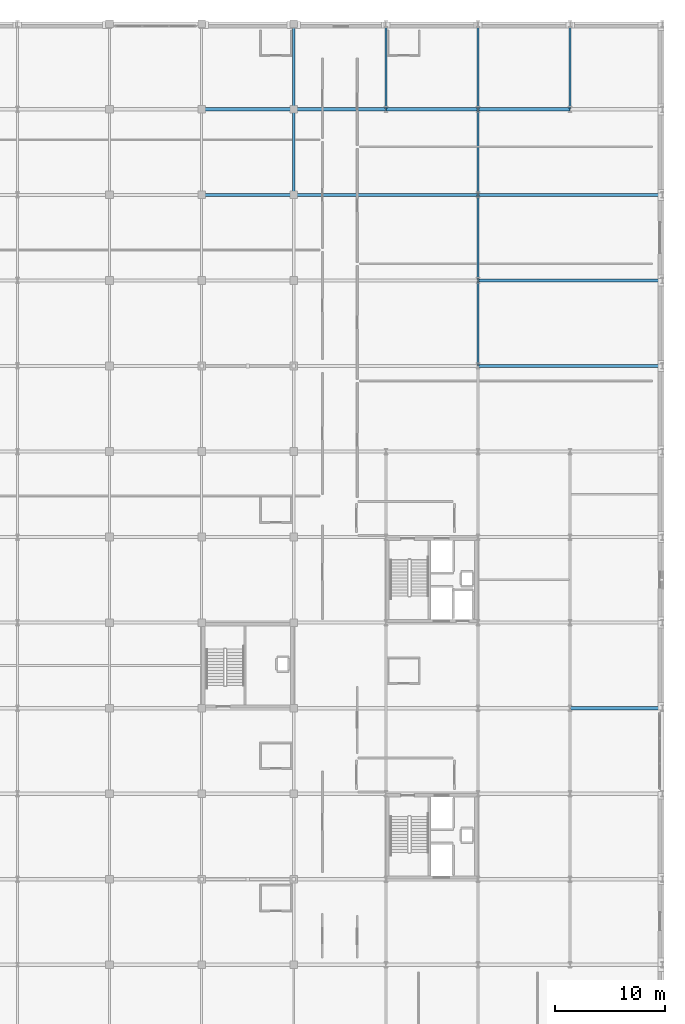
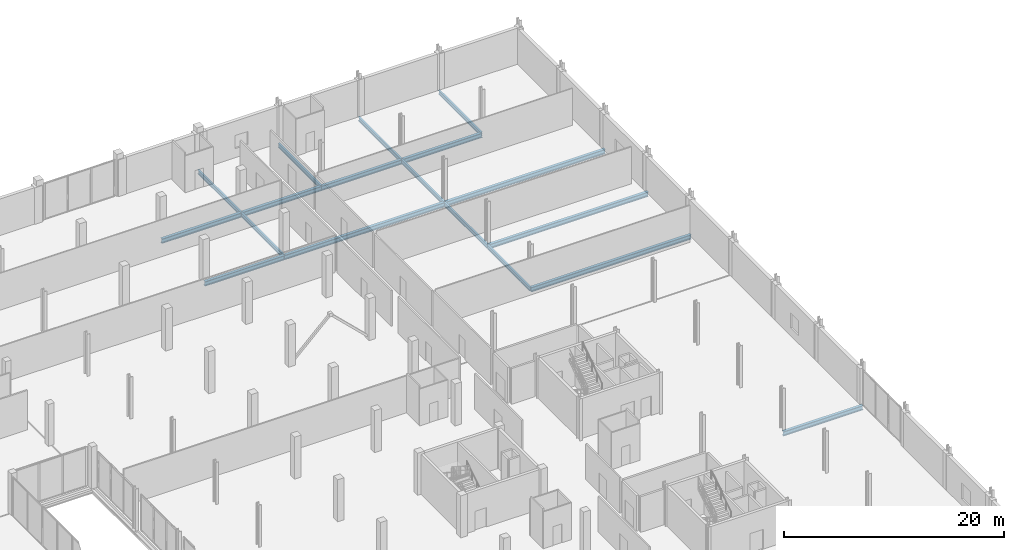
# One storey, part 56 of 98: 18 beams.
"""IFC4 building model written with IfcOpenShell, lengths in metres."""

from ifc_helpers import new_model, si_unit, direction, frame, origin, origin_2d, place, context, subcontext, project, spatial, i_section, extrude, material, material_profile, profile_set, type_object, element, save


model = new_model("IFC4")

# Units and contexts
model_context = context("Model", 3, precision=1e-05, world=origin(), true_north=direction((0.0, 1.0)))
body_context = subcontext(model_context, "Body", "Model", "MODEL_VIEW")
ifc_project = project(units=[si_unit("LENGTHUNIT", "METRE"), si_unit("AREAUNIT", "SQUARE_METRE"), si_unit("VOLUMEUNIT", "CUBIC_METRE"), si_unit("PLANEANGLEUNIT", "RADIAN"), si_unit("MASSUNIT", "GRAM", prefix="KILO")], contexts=[model_context])

# Site, building, storey
site_placement = place(None, origin())
site = spatial("IfcSite", under=ifc_project, at=site_placement, CompositionType="ELEMENT")
building_placement = place(site_placement, origin())
building = spatial("IfcBuilding", under=site, at=building_placement, Name="Nabrawat Pavilion Hospital", CompositionType="ELEMENT")
storey_placement = place(building_placement, frame((0.0, 0.0, 10.199951171875)))
storey = spatial("IfcBuildingStorey", under=building, at=storey_placement, Name="L02", CompositionType="ELEMENT", Elevation=10.199951171875)

# Beams
ifc_material = material(Name="Steel S355", Category="steel")
ifc_material_profile_1 = material_profile(ifc_material, i_section(OverallWidth=0.300048828125, OverallDepth=0.5, WebThickness=0.014404296875, FlangeThickness=0.028076171875, FilletRadius=0.027099609375, at=origin_2d()), Name="HEB 500")
ifc_profile_set_1 = profile_set([ifc_material_profile_1], Name="Steel S355")
beam_type_1 = type_object("IfcBeamType", Name="Primary Floor Girder HEB 500", PredefinedType="USERDEFINED", material=ifc_profile_set_1)
beam_1_placement = place(storey_placement, frame((184.820068359375, 62.39990234375, -0.5), z_axis=(1.0, 0.0, 0.0), x_axis=(0.0, 1.0, 0.0)))
element("IfcBeam", 1, at=beam_1_placement, inside=storey, type_object=beam_type_1, Name="L02 Primary X Girder 1052", ObjectType="GIRDER", PredefinedType="USERDEFINED", context=body_context, shape_type="SweptSolid", body=[
    extrude(i_section(OverallWidth=0.300048828125, OverallDepth=0.5, WebThickness=0.014404296875, FlangeThickness=0.028076171875, FilletRadius=0.027099609375, at=origin_2d()), origin(), (0.0, 0.0, 1.0), 8.35986328125),
])
for number, where, z_axis, x_axis, name in (
    (2, (176.419921875, 93.60009765625, -0.5), (1.0, 0.0, 0.0), (0.0, 1.0, 0.0), "L02 Primary X Girder 1115"),
    (3, (176.419921875, 101.39990234375, -0.5), (1.0, 0.0, 0.0), (0.0, 1.0, 0.0), "L02 Primary X Girder 1128"),
):
    element("IfcBeam", number, at=place(storey_placement, frame(where, z_axis=z_axis, x_axis=x_axis)), inside=storey, type_object=beam_type_1, Name=name, ObjectType="GIRDER", PredefinedType="USERDEFINED", context=body_context, shape_type="SweptSolid", body=[
        extrude(i_section(OverallWidth=0.300048828125, OverallDepth=0.5, WebThickness=0.014404296875, FlangeThickness=0.028076171875, FilletRadius=0.027099609375, at=origin_2d()), origin(), (0.0, 0.0, 1.0), 16.760009765625),
    ])
beam_2_placement = place(storey_placement, frame((151.219970703125, 109.199951171875, -0.5), z_axis=(1.0, 0.0, 0.0), x_axis=(0.0, 1.0, 0.0)))
element("IfcBeam", 4, at=beam_2_placement, inside=storey, type_object=beam_type_1, Name="L02 Primary X Girder 1138", ObjectType="GIRDER", PredefinedType="USERDEFINED", context=body_context, shape_type="SweptSolid", body=[
    extrude(i_section(OverallWidth=0.300048828125, OverallDepth=0.5, WebThickness=0.014404296875, FlangeThickness=0.028076171875, FilletRadius=0.027099609375, at=origin_2d()), origin(), (0.0, 0.0, 1.0), 8.360107421875),
])
beam_3_placement = place(storey_placement, frame((159.6201171875, 109.199951171875, -0.5), z_axis=(1.0, 0.0, 0.0), x_axis=(0.0, 1.0, 0.0)))
element("IfcBeam", 5, at=beam_3_placement, inside=storey, type_object=beam_type_1, Name="L02 Primary X Girder 1139", ObjectType="GIRDER", PredefinedType="USERDEFINED", context=body_context, shape_type="SweptSolid", body=[
    extrude(i_section(OverallWidth=0.300048828125, OverallDepth=0.5, WebThickness=0.014404296875, FlangeThickness=0.028076171875, FilletRadius=0.027099609375, at=origin_2d()), origin(), (0.0, 0.0, 1.0), 16.759765625),
])
beam_4_placement = place(storey_placement, frame((176.419921875, 109.199951171875, -0.5), z_axis=(1.0, 0.0, 0.0), x_axis=(0.0, 1.0, 0.0)))
element("IfcBeam", 6, at=beam_4_placement, inside=storey, type_object=beam_type_1, Name="L02 Primary X Girder 1140", ObjectType="GIRDER", PredefinedType="USERDEFINED", context=body_context, shape_type="SweptSolid", body=[
    extrude(i_section(OverallWidth=0.300048828125, OverallDepth=0.5, WebThickness=0.014404296875, FlangeThickness=0.028076171875, FilletRadius=0.027099609375, at=origin_2d()), origin(), (0.0, 0.0, 1.0), 16.760009765625),
])
beam_5_placement = place(storey_placement, frame((151.219970703125, 117.0, -0.5), z_axis=(1.0, 0.0, 0.0), x_axis=(0.0, 1.0, 0.0)))
element("IfcBeam", 7, at=beam_5_placement, inside=storey, type_object=beam_type_1, Name="L02 Primary X Girder 1159", ObjectType="GIRDER", PredefinedType="USERDEFINED", context=body_context, shape_type="SweptSolid", body=[
    extrude(i_section(OverallWidth=0.300048828125, OverallDepth=0.5, WebThickness=0.014404296875, FlangeThickness=0.028076171875, FilletRadius=0.027099609375, at=origin_2d()), origin(), (0.0, 0.0, 1.0), 8.360107421875),
])
for number, where, z_axis, x_axis, name in (
    (8, (159.6201171875, 117.0, -0.5), (1.0, 0.0, 0.0), (0.0, 1.0, 0.0), "L02 Primary X Girder 1160"),
    (9, (168.02001953125, 117.0, -0.5), (1.0, 0.0, 0.0), (0.0, 1.0, 0.0), "L02 Primary X Girder 1161"),
):
    element("IfcBeam", number, at=place(storey_placement, frame(where, z_axis=z_axis, x_axis=x_axis)), inside=storey, type_object=beam_type_1, Name=name, ObjectType="GIRDER", PredefinedType="USERDEFINED", context=body_context, shape_type="SweptSolid", body=[
        extrude(i_section(OverallWidth=0.300048828125, OverallDepth=0.5, WebThickness=0.014404296875, FlangeThickness=0.028076171875, FilletRadius=0.027099609375, at=origin_2d()), origin(), (0.0, 0.0, 1.0), 8.35986328125),
    ])
beam_6_placement = place(storey_placement, frame((176.419921875, 117.0, -0.5), z_axis=(1.0, 0.0, 0.0), x_axis=(0.0, 1.0, 0.0)))
element("IfcBeam", 10, at=beam_6_placement, inside=storey, type_object=beam_type_1, Name="L02 Primary X Girder 1162", ObjectType="GIRDER", PredefinedType="USERDEFINED", context=body_context, shape_type="SweptSolid", body=[
    extrude(i_section(OverallWidth=0.300048828125, OverallDepth=0.5, WebThickness=0.014404296875, FlangeThickness=0.028076171875, FilletRadius=0.027099609375, at=origin_2d()), origin(), (0.0, 0.0, 1.0), 8.360107421875),
])
ifc_material_profile_2 = material_profile(ifc_material, i_section(OverallWidth=0.18994140625, OverallDepth=0.449951171875, WebThickness=0.009521484375, FlangeThickness=0.0146484375, FilletRadius=0.02099609375, at=origin_2d()), Name="IPE 450")
ifc_profile_set_2 = profile_set([ifc_material_profile_2], Name="Steel S355")
beam_type_2 = type_object("IfcBeamType", Name="Primary Y Floor Beam IPE 450", PredefinedType="BEAM", material=ifc_profile_set_2)
for number, where, z_axis, x_axis, name in (
    (11, (159.60009765625, 109.219970703125, -0.474853515625), (0.0, 1.0, 0.0), (-1.0, 0.0, 0.0), "L02 Primary Y Beam 1354"),
    (12, (159.60009765625, 117.02001953125, -0.474853515625), (0.0, 1.0, 0.0), (-1.0, 0.0, 0.0), "L02 Primary Y Beam 1355"),
    (13, (168.0, 117.02001953125, -0.474853515625), (0.0, 1.0, 0.0), (-1.0, 0.0, 0.0), "L02 Primary Y Beam 1364"),
):
    element("IfcBeam", number, at=place(storey_placement, frame(where, z_axis=z_axis, x_axis=x_axis)), inside=storey, type_object=beam_type_2, Name=name, PredefinedType="BEAM", context=body_context, shape_type="SweptSolid", body=[
        extrude(i_section(OverallWidth=0.18994140625, OverallDepth=0.449951171875, WebThickness=0.009521484375, FlangeThickness=0.0146484375, FilletRadius=0.02099609375, at=origin_2d()), origin(), (0.0, 0.0, 1.0), 7.760009765625),
    ])
beam_7_placement = place(storey_placement, frame((176.39990234375, 93.6201171875, -0.474853515625), z_axis=(0.0, 1.0, 0.0), x_axis=(-1.0, 0.0, 0.0)))
element("IfcBeam", 14, at=beam_7_placement, inside=storey, type_object=beam_type_2, Name="L02 Primary Y Beam 1377", PredefinedType="BEAM", context=body_context, shape_type="SweptSolid", body=[
    extrude(i_section(OverallWidth=0.18994140625, OverallDepth=0.449951171875, WebThickness=0.009521484375, FlangeThickness=0.0146484375, FilletRadius=0.02099609375, at=origin_2d()), origin(), (0.0, 0.0, 1.0), 7.759765625),
])
for number, where, z_axis, x_axis, name in (
    (15, (176.39990234375, 101.419921875, -0.474853515625), (0.0, 1.0, 0.0), (-1.0, 0.0, 0.0), "L02 Primary Y Beam 1378"),
    (16, (176.39990234375, 109.219970703125, -0.474853515625), (0.0, 1.0, 0.0), (-1.0, 0.0, 0.0), "L02 Primary Y Beam 1379"),
    (17, (176.39990234375, 117.02001953125, -0.474853515625), (0.0, 1.0, 0.0), (-1.0, 0.0, 0.0), "L02 Primary Y Beam 1380"),
    (18, (184.800048828125, 117.02001953125, -0.474853515625), (0.0, 1.0, 0.0), (-1.0, 0.0, 0.0), "L02 Primary Y Beam 1388"),
):
    element("IfcBeam", number, at=place(storey_placement, frame(where, z_axis=z_axis, x_axis=x_axis)), inside=storey, type_object=beam_type_2, Name=name, PredefinedType="BEAM", context=body_context, shape_type="SweptSolid", body=[
        extrude(i_section(OverallWidth=0.18994140625, OverallDepth=0.449951171875, WebThickness=0.009521484375, FlangeThickness=0.0146484375, FilletRadius=0.02099609375, at=origin_2d()), origin(), (0.0, 0.0, 1.0), 7.760009765625),
    ])

save(model, "model.ifc")
